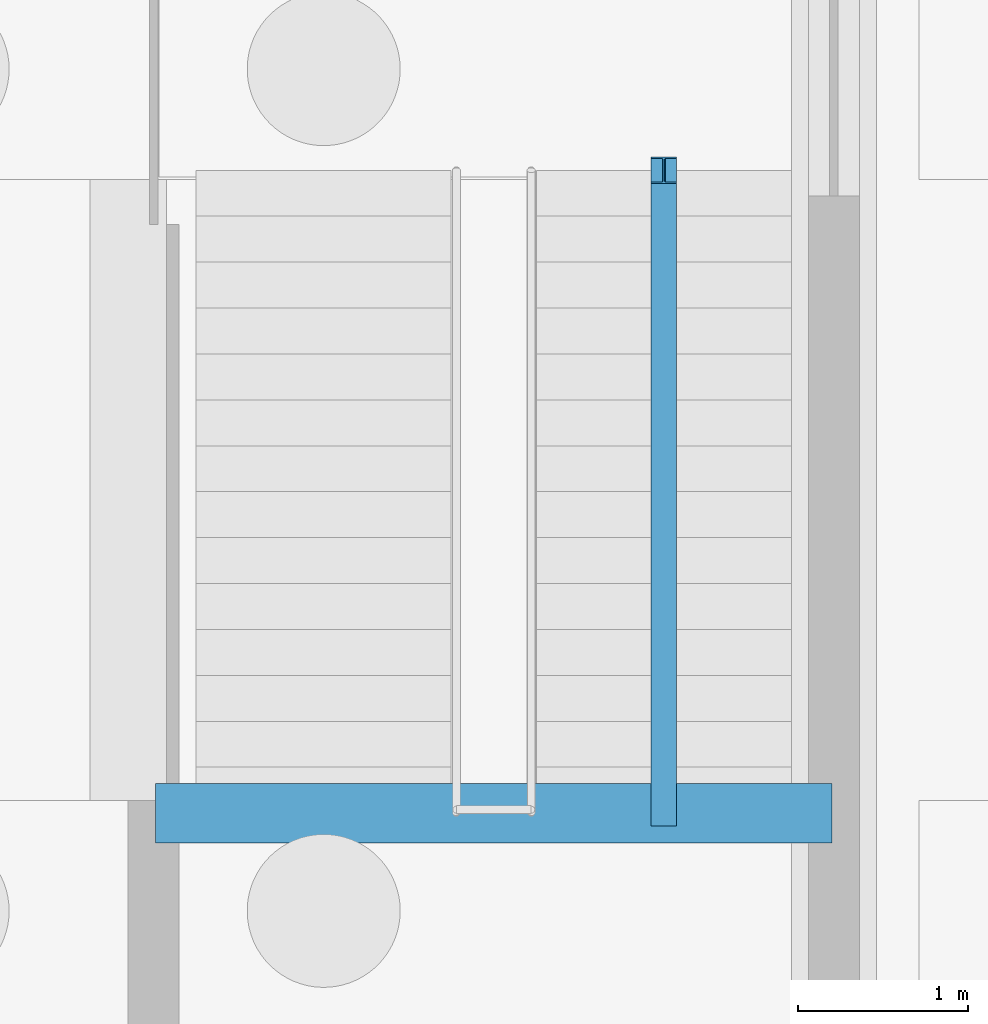
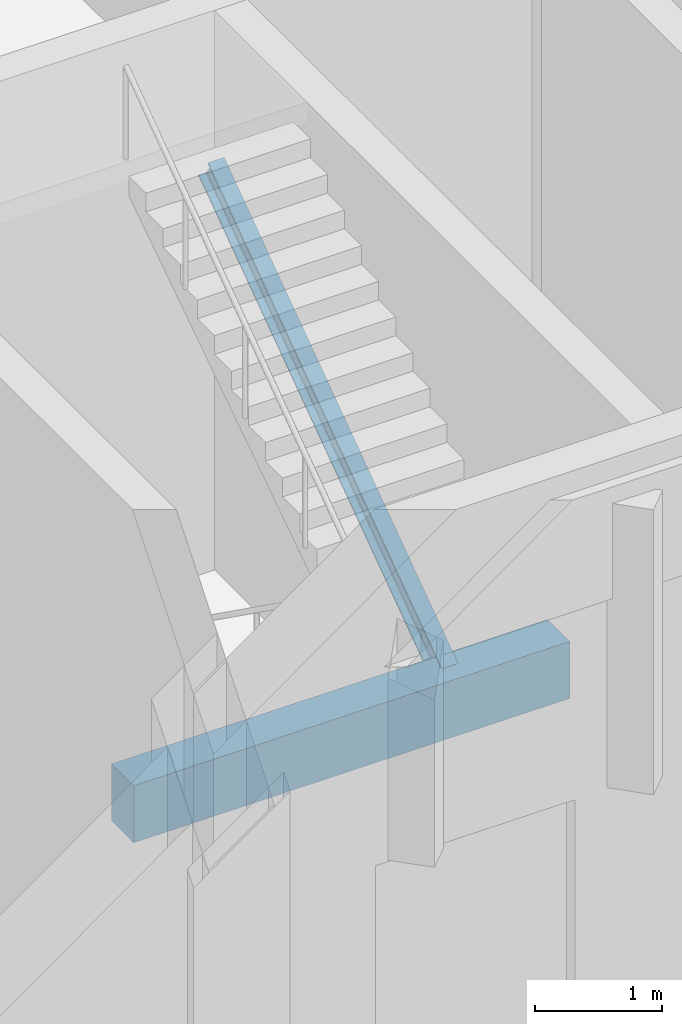
# One storey, part 60 of 109: 2 beams.
"""IFC4 building model written with IfcOpenShell, lengths in metres."""

from ifc_helpers import new_model, si_unit, direction, frame, origin, origin_2d, place, context, subcontext, project, spatial, rectangle, i_section, extrude, material, material_profile, profile_set, type_object, element, save


model = new_model("IFC4")

# Units and contexts
model_context = context("Model", 3, precision=1e-05, world=origin(), true_north=direction((0.0, 1.0)))
body_context = subcontext(model_context, "Body", "Model", "MODEL_VIEW")
ifc_project = project(units=[si_unit("LENGTHUNIT", "METRE"), si_unit("AREAUNIT", "SQUARE_METRE"), si_unit("VOLUMEUNIT", "CUBIC_METRE"), si_unit("PLANEANGLEUNIT", "RADIAN"), si_unit("MASSUNIT", "GRAM", prefix="KILO")], contexts=[model_context])

# Site, building, storey
site_placement = place(None, origin())
site = spatial("IfcSite", under=ifc_project, at=site_placement, CompositionType="ELEMENT")
building_placement = place(site_placement, origin())
building = spatial("IfcBuilding", under=site, at=building_placement, Name="Lusvemor Sports Hall", CompositionType="ELEMENT")
storey_placement = place(building_placement, origin())
storey = spatial("IfcBuildingStorey", under=building, at=storey_placement, Name="L00", CompositionType="ELEMENT", Elevation=0.0)

# Beams
ifc_material_1 = material(Name="Concrete C40/50", Category="concrete")
ifc_material_profile_1 = material_profile(ifc_material_1, rectangle(XDim=0.35009765625, YDim=0.550048828125, at=origin_2d()), Name="RC350x550")
ifc_profile_set_1 = profile_set([ifc_material_profile_1], Name="Concrete C40/50")
beam_type_1 = type_object("IfcBeamType", Name="BEAM_RC_550", PredefinedType="BEAM", material=ifc_profile_set_1)
beam_1_placement = place(storey_placement, frame((162.159912109375, 1.699951171875, 2.2451171875), z_axis=(1.0, 0.0, 0.0), x_axis=(0.0, 1.0, 0.0)))
element("IfcBeam", 1, at=beam_1_placement, inside=storey, type_object=beam_type_1, Name="Stair STR-C8-L00 Mid-Landing Beam", PredefinedType="BEAM", context=body_context, shape_type="SweptSolid", body=[
    extrude(rectangle(XDim=0.35009765625, YDim=0.550048828125, at=origin_2d()), origin(), (0.0, 0.0, 1.0), 3.97998046875),
])
ifc_material_2 = material(Name="Steel S355", Category="steel")
ifc_material_profile_2 = material_profile(ifc_material_2, i_section(OverallWidth=0.14794921875, OverallDepth=0.26611328125, WebThickness=0.007568359375, FlangeThickness=0.012939453125, FilletRadius=0.012939453125, at=origin_2d()), Name="W250x44.8")
ifc_profile_set_2 = profile_set([ifc_material_profile_2], Name="Steel S355")
beam_type_2 = type_object("IfcBeamType", Name="JOIST_ST_250M", PredefinedType="JOIST", material=ifc_profile_set_2)
beam_2_placement = place(storey_placement, frame((165.14990234375, 1.699951171875, 2.35498046875), z_axis=(0.0, 0.813740573448, 0.581228250453), x_axis=(-1.0, 0.0, 0.0)))
element("IfcBeam", 2, at=beam_2_placement, inside=storey, type_object=beam_type_2, Name="Stair STR-C8-L00 Flight 2 Stringer Beam", PredefinedType="JOIST", context=body_context, shape_type="SweptSolid", body=[
    extrude(i_section(OverallWidth=0.14794921875, OverallDepth=0.26611328125, WebThickness=0.007568359375, FlangeThickness=0.012939453125, FilletRadius=0.012939453125, at=origin_2d()), origin(), (0.0, 0.0, 1.0), 4.645263671875),
])

save(model, "model.ifc")
